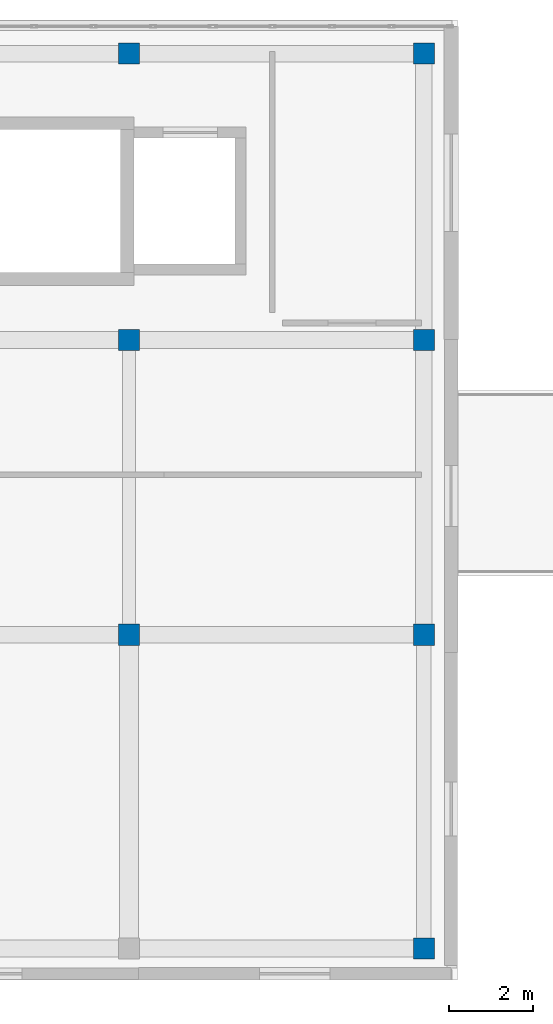
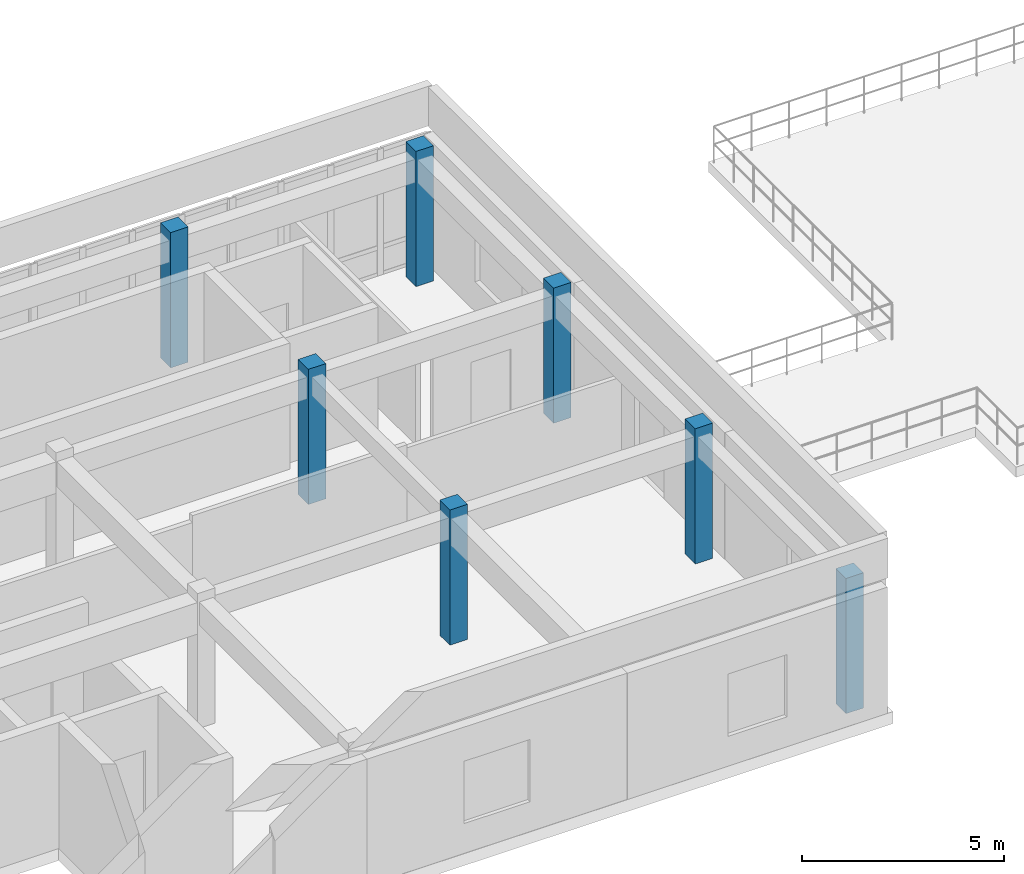
# One storey, part 2 of 14: 7 columns.
"""IFC4 building model written with IfcOpenShell, lengths in metres."""

from ifc_helpers import new_model, si_unit, direction, frame, origin, origin_2d, place, context, subcontext, project, spatial, rectangle, extrude, material, material_profile, profile_set, type_object, element, save


model = new_model("IFC4")

# Units and contexts
model_context = context("Model", 3, precision=1e-05, world=origin(), true_north=direction((0.0, 1.0)))
body_context = subcontext(model_context, "Body", "Model", "MODEL_VIEW")
ifc_project = project(units=[si_unit("LENGTHUNIT", "METRE"), si_unit("AREAUNIT", "SQUARE_METRE"), si_unit("VOLUMEUNIT", "CUBIC_METRE"), si_unit("PLANEANGLEUNIT", "RADIAN"), si_unit("MASSUNIT", "GRAM", prefix="KILO")], contexts=[model_context])

# Site, building, storey
site_placement = place(None, origin())
site = spatial("IfcSite", under=ifc_project, at=site_placement, CompositionType="ELEMENT")
building_placement = place(site_placement, origin())
building = spatial("IfcBuilding", under=site, at=building_placement, Name="Valcora Specialist Clinic", CompositionType="ELEMENT")
storey_placement = place(building_placement, frame((0.0, 0.0, 21.760009765625)))
storey = spatial("IfcBuildingStorey", under=building, at=storey_placement, Name="L05", CompositionType="ELEMENT", Elevation=21.760009765625)

# Columns
ifc_material = material(Name="Concrete C40/50", Category="concrete")
ifc_material_profile = material_profile(ifc_material, rectangle(XDim=0.5, YDim=0.5, at=origin_2d()), Name="RC-COL-500X500")
ifc_profile_set = profile_set([ifc_material_profile], Name="Concrete C40/50")
column_type = type_object("IfcColumnType", Name="TY-COL-RC500", PredefinedType="COLUMN", material=ifc_profile_set)
for number, where, z_axis, x_axis, name in (
    (1, (37.800048828125, 8.199951171875, 0.0), (0.0, 0.0, 1.0), (1.0, 0.0, 0.0), "Column COL-L05-0675"),
    (2, (37.800048828125, 15.199951171875, 0.0), (0.0, 0.0, 1.0), (1.0, 0.0, 0.0), "Column COL-L05-0682"),
    (3, (37.800048828125, 22.0, 0.0), (0.0, 0.0, 1.0), (1.0, 0.0, 0.0), "Column COL-L05-0689"),
    (4, (44.800048828125, 0.75, 0.0), (0.0, 0.0, 1.0), (1.0, 0.0, 0.0), "Column COL-L05-0696"),
    (5, (44.800048828125, 8.199951171875, 0.0), (0.0, 0.0, 1.0), (1.0, 0.0, 0.0), "Column COL-L05-0703"),
    (6, (44.800048828125, 15.199951171875, 0.0), (0.0, 0.0, 1.0), (1.0, 0.0, 0.0), "Column COL-L05-0710"),
    (7, (44.800048828125, 22.0, 0.0), (0.0, 0.0, 1.0), (1.0, 0.0, 0.0), "Column COL-L05-0717"),
):
    element("IfcColumn", number, at=place(storey_placement, frame(where, z_axis=z_axis, x_axis=x_axis)), inside=storey, type_object=column_type, Name=name, PredefinedType="COLUMN", context=body_context, shape_type="SweptSolid", body=[
        extrude(rectangle(XDim=0.5, YDim=0.5, at=origin_2d()), origin(), (0.0, 0.0, 1.0), 4.080078125),
    ])

save(model, "model.ifc")
